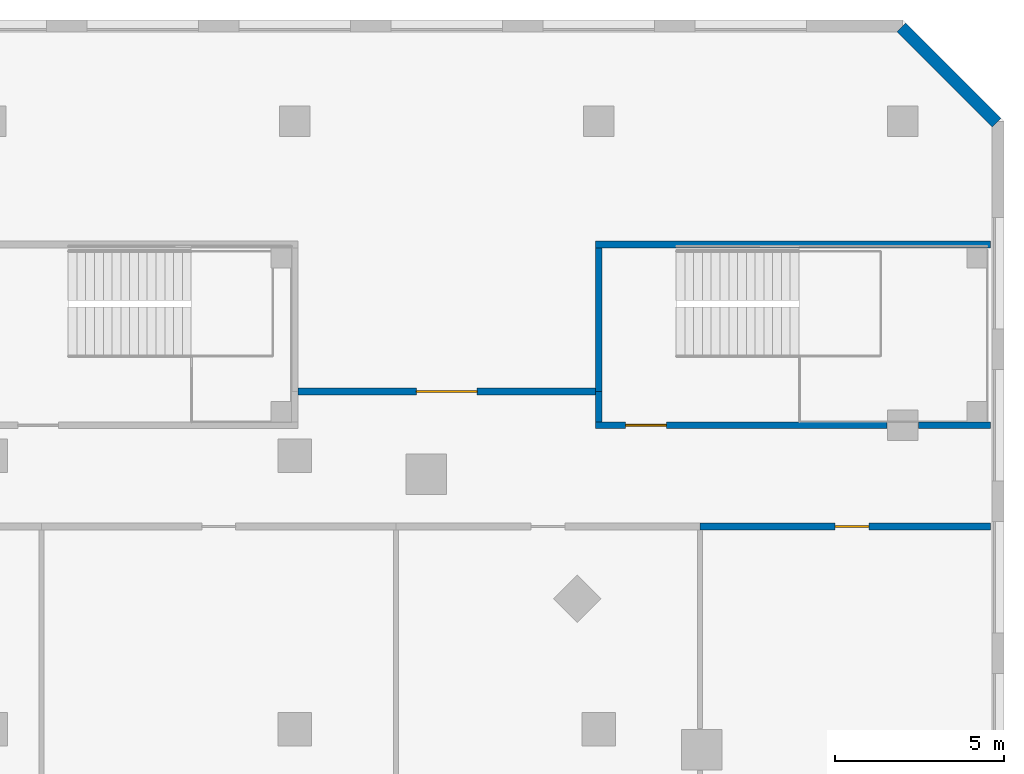
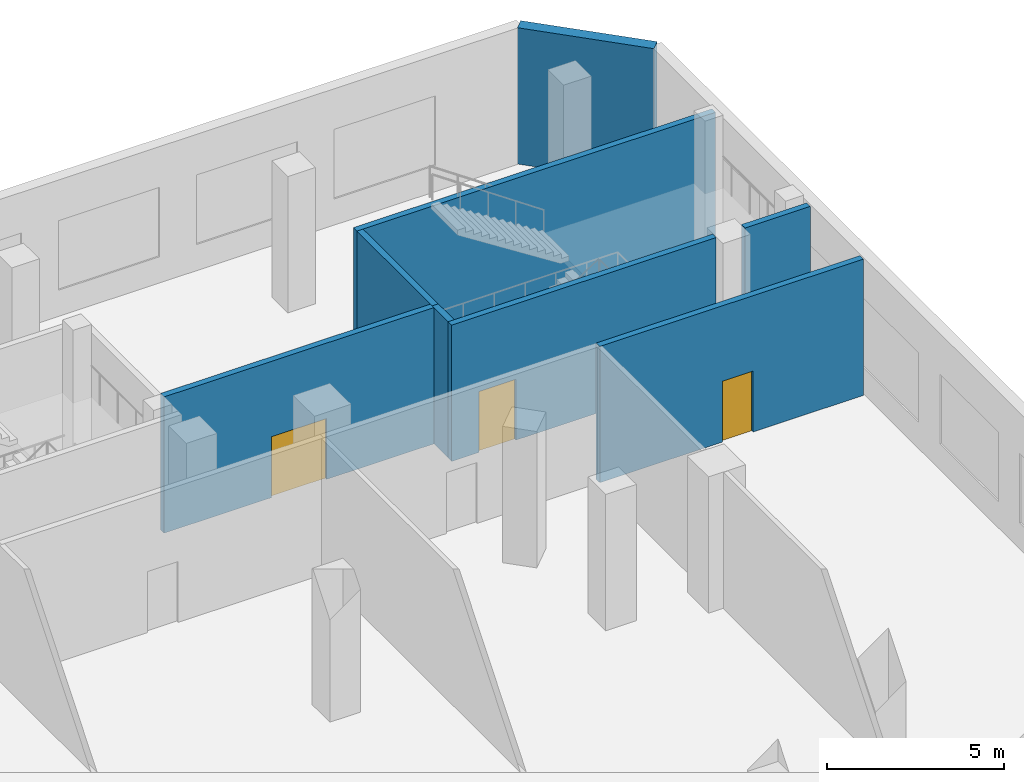
# One storey, part 14 of 21: 8 walls, 3 doors, 3 openings.
"""IFC4 building model written with IfcOpenShell, lengths in metres."""

from ifc_helpers import new_model, si_unit, direction, frame, frame_2d, origin, place, context, subcontext, project, spatial, rectangle, extrude, material, layer, layer_set, type_object, element, fill, save


model = new_model("IFC4")

# Units and contexts
model_context = context("Model", 3, precision=1e-05, world=origin(), true_north=direction((0.0, 1.0)))
body_context = subcontext(model_context, "Body", "Model", "MODEL_VIEW")
ifc_project = project(units=[si_unit("LENGTHUNIT", "METRE"), si_unit("AREAUNIT", "SQUARE_METRE"), si_unit("VOLUMEUNIT", "CUBIC_METRE"), si_unit("PLANEANGLEUNIT", "RADIAN"), si_unit("MASSUNIT", "GRAM", prefix="KILO")], contexts=[model_context])

# Site, building, storey
site_placement = place(None, origin())
site = spatial("IfcSite", under=ifc_project, at=site_placement, CompositionType="ELEMENT")
building_placement = place(site_placement, origin())
building = spatial("IfcBuilding", under=site, at=building_placement, Name="Cinnabar Reach Civic Tower", CompositionType="ELEMENT")
storey_placement = place(building_placement, frame((0.0, 0.0, 16.0)))
storey = spatial("IfcBuildingStorey", under=building, at=storey_placement, Name="L03", CompositionType="ELEMENT", Elevation=16.0)

# Wall
ifc_material_1 = material(Name="Facing brick with insulated backing", Category="masonry")
ifc_layer_1 = layer(ifc_material_1, 0.36)
ifc_layer_set_1 = layer_set([ifc_layer_1], Name="Brick corner wall")
wall_type_1 = type_object("IfcWallType", Name="Brick corner wall", PredefinedType="STANDARD", material=ifc_layer_set_1)
wall_1_placement = place(storey_placement, frame((65.7843, 53.9611, 0.0), z_axis=(0.0, 0.0, 1.0), x_axis=(-0.707106781187, 0.707106781187, 0.0)))
element("IfcWall", 1, at=wall_1_placement, inside=storey, type_object=wall_type_1, Name="Brick corner wall", PredefinedType="STANDARD", context=body_context, shape_type="SweptSolid", body=[
    extrude(rectangle(XDim=3.9926, YDim=0.36, at=frame_2d((1.9963, 0.0))), origin(), (0.0, 0.0, 1.0), 4.7),
])

# Wall, opening, door
ifc_material_2 = material(Name="Concrete blockwork", Category="masonry")
ifc_layer_2 = layer(ifc_material_2, 0.2)
ifc_layer_set_2 = layer_set([ifc_layer_2], Name="Podium masonry corridor wall 200 EI 120")
wall_type_2 = type_object("IfcWallType", Name="Podium masonry corridor wall 200 EI 120", PredefinedType="PARTITIONING", material=ifc_layer_set_2)
wall_2_placement = place(storey_placement, frame((57.0, 42.0, 0.0), z_axis=(0.0, 0.0, 1.0), x_axis=(1.0, 0.0, 0.0)))
wall_2 = element("IfcWall", 2, at=wall_2_placement, inside=storey, type_object=wall_type_2, Name="Wall L03 99", PredefinedType="PARTITIONING", context=body_context, shape_type="SweptSolid", body=[
    extrude(rectangle(XDim=8.6, YDim=0.2, at=frame_2d((4.3, 0.0))), origin(), (0.0, 0.0, 1.0), 4.7),
])
opening_1_placement = place(wall_2_placement, frame((4.0, 0.0, 0.0)))
opening_1 = element("IfcOpeningElement", 3, at=opening_1_placement, cuts=wall_2, Name="Opening D1203", PredefinedType="OPENING", context=body_context, shape_type="SweptSolid", body=[
    extrude(rectangle(XDim=1.0, YDim=2.1, at=frame_2d((0.5, 1.05))), frame((0.0, 0.11, 0.0), z_axis=(0.0, -1.0, 0.0), x_axis=(1.0, 0.0, 0.0)), (0.0, 0.0, 1.0), 0.22),
])
ifc_material_3 = material(Name="Painted steel door leaf", Category="steel")
door_type_1 = type_object("IfcDoorType", Name="Podium single door 1000x2100", OperationType="SINGLE_SWING_LEFT", PredefinedType="DOOR", material=ifc_material_3)
door_1_placement = place(opening_1_placement, frame((1.0, 0.0, 0.0), z_axis=(0.0, 0.0, 1.0), x_axis=(-1.0, 0.0, 0.0)))
door_1 = element("IfcDoor", 4, at=door_1_placement, inside=storey, type_object=door_type_1, Name="Door D1203", OperationType="SINGLE_SWING_RIGHT", OverallHeight=2.1, OverallWidth=1.0, PredefinedType="DOOR", context=body_context, shape_type="SweptSolid", body=[
    extrude(rectangle(XDim=1.0, YDim=2.1, at=frame_2d((0.5, 1.05))), frame((0.0, 0.025, 0.0), z_axis=(0.0, -1.0, 0.0), x_axis=(1.0, 0.0, 0.0)), (0.0, 0.0, 1.0), 0.05),
])
fill(opening_1, door_1)

wall_3_placement = place(storey_placement, frame((45.1, 46.0, 0.0), z_axis=(0.0, 0.0, 1.0), x_axis=(1.0, 0.0, 0.0)))
wall_3 = element("IfcWall", 5, at=wall_3_placement, inside=storey, type_object=wall_type_2, Name="Wall L03 104", PredefinedType="PARTITIONING", context=body_context, shape_type="SweptSolid", body=[
    extrude(rectangle(XDim=8.8, YDim=0.2, at=frame_2d((4.4, 0.0))), origin(), (0.0, 0.0, 1.0), 4.7),
])
opening_2_placement = place(wall_3_placement, frame((3.5, 0.0, 0.0)))
opening_2 = element("IfcOpeningElement", 6, at=opening_2_placement, cuts=wall_3, Name="Opening D1212", PredefinedType="OPENING", context=body_context, shape_type="SweptSolid", body=[
    extrude(rectangle(XDim=1.8, YDim=2.1, at=frame_2d((0.9, 1.05))), frame((0.0, 0.11, 0.0), z_axis=(0.0, -1.0, 0.0), x_axis=(1.0, 0.0, 0.0)), (0.0, 0.0, 1.0), 0.22),
])
door_type_2 = type_object("IfcDoorType", Name="Podium double door 1800x2100", OperationType="DOUBLE_DOOR_SINGLE_SWING", PredefinedType="DOOR", material=ifc_material_3)
door_2_placement = place(opening_2_placement, frame((1.8, 0.0, 0.0), z_axis=(0.0, 0.0, 1.0), x_axis=(-1.0, 0.0, 0.0)))
door_2 = element("IfcDoor", 7, at=door_2_placement, inside=storey, type_object=door_type_2, Name="Door D1212", OperationType="DOUBLE_DOOR_SINGLE_SWING", OverallHeight=2.1, OverallWidth=1.8, PredefinedType="DOOR", context=body_context, shape_type="SweptSolid", body=[
    extrude(rectangle(XDim=1.8, YDim=2.1, at=frame_2d((0.9, 1.05))), frame((0.0, 0.025, 0.0), z_axis=(0.0, -1.0, 0.0), x_axis=(1.0, 0.0, 0.0)), (0.0, 0.0, 1.0), 0.05),
])
fill(opening_2, door_2)

# Wall
ifc_material_4 = material(Name="Concrete C40", Category="concrete")
ifc_layer_3 = layer(ifc_material_4, 0.2)
ifc_layer_set_3 = layer_set([ifc_layer_3], Name="Podium stair shaft wall 200 EI 120")
wall_type_3 = type_object("IfcWallType", Name="Podium stair shaft wall 200 EI 120", PredefinedType="SOLIDWALL", material=ifc_layer_set_3)
wall_4_placement = place(storey_placement, frame((54.0, 45.1, 0.0), z_axis=(0.0, 0.0, 1.0), x_axis=(0.0, 1.0, 0.0)))
element("IfcWall", 8, at=wall_4_placement, inside=storey, type_object=wall_type_3, Name="Wall L03 17", PredefinedType="SOLIDWALL", context=body_context, shape_type="SweptSolid", body=[
    extrude(rectangle(XDim=0.9, YDim=0.2, at=frame_2d((0.45, 0.0))), origin(), (0.0, 0.0, 1.0), 4.7),
])

# Wall, opening, door
wall_5_placement = place(storey_placement, frame((53.9, 45.0, 0.0), z_axis=(0.0, 0.0, 1.0), x_axis=(1.0, 0.0, 0.0)))
wall_5 = element("IfcWall", 9, at=wall_5_placement, inside=storey, type_object=wall_type_3, Name="Wall L03 18", PredefinedType="SOLIDWALL", context=body_context, shape_type="SweptSolid", body=[
    extrude(rectangle(XDim=8.63, YDim=0.2, at=frame_2d((4.315, 0.0))), origin(), (0.0, 0.0, 1.0), 4.7),
])
opening_3_placement = place(wall_5_placement, frame((0.9, 0.0, 0.0)))
opening_3 = element("IfcOpeningElement", 10, at=opening_3_placement, cuts=wall_5, Name="Opening D1217", PredefinedType="OPENING", context=body_context, shape_type="SweptSolid", body=[
    extrude(rectangle(XDim=1.2, YDim=2.1, at=frame_2d((0.6, 1.05))), frame((0.0, 0.11, 0.0), z_axis=(0.0, -1.0, 0.0), x_axis=(1.0, 0.0, 0.0)), (0.0, 0.0, 1.0), 0.22),
])
door_type_3 = type_object("IfcDoorType", Name="Podium single door 1200x2100", OperationType="SINGLE_SWING_LEFT", PredefinedType="DOOR", material=ifc_material_3)
door_3_placement = place(opening_3_placement, origin())
door_3 = element("IfcDoor", 11, at=door_3_placement, inside=storey, type_object=door_type_3, Name="Door D1217", OperationType="SINGLE_SWING_RIGHT", OverallHeight=2.1, OverallWidth=1.2, PredefinedType="DOOR", context=body_context, shape_type="SweptSolid", body=[
    extrude(rectangle(XDim=1.2, YDim=2.1, at=frame_2d((0.6, 1.05))), frame((0.0, 0.025, 0.0), z_axis=(0.0, -1.0, 0.0), x_axis=(1.0, 0.0, 0.0)), (0.0, 0.0, 1.0), 0.05),
])
fill(opening_3, door_3)

# Walls
wall_6_placement = place(storey_placement, frame((63.47, 45.0, 0.0), z_axis=(0.0, 0.0, 1.0), x_axis=(1.0, 0.0, 0.0)))
element("IfcWall", 12, at=wall_6_placement, inside=storey, type_object=wall_type_3, Name="Wall L03 19", PredefinedType="SOLIDWALL", context=body_context, shape_type="SweptSolid", body=[
    extrude(rectangle(XDim=2.13, YDim=0.2, at=frame_2d((1.065, 0.0))), origin(), (0.0, 0.0, 1.0), 4.7),
])
wall_7_placement = place(storey_placement, frame((54.0, 46.0, 0.0), z_axis=(0.0, 0.0, 1.0), x_axis=(0.0, 1.0, 0.0)))
element("IfcWall", 13, at=wall_7_placement, inside=storey, type_object=wall_type_3, Name="Wall L03 20", PredefinedType="SOLIDWALL", context=body_context, shape_type="SweptSolid", body=[
    extrude(rectangle(XDim=4.25, YDim=0.2, at=frame_2d((2.125, 0.0))), origin(), (0.0, 0.0, 1.0), 4.7),
])
wall_8_placement = place(storey_placement, frame((53.9, 50.35, 0.0), z_axis=(0.0, 0.0, 1.0), x_axis=(1.0, 0.0, 0.0)))
element("IfcWall", 14, at=wall_8_placement, inside=storey, type_object=wall_type_3, Name="Wall L03 21", PredefinedType="SOLIDWALL", context=body_context, shape_type="SweptSolid", body=[
    extrude(rectangle(XDim=11.7, YDim=0.2, at=frame_2d((5.85, 0.0))), origin(), (0.0, 0.0, 1.0), 4.7),
])

save(model, "model.ifc")
